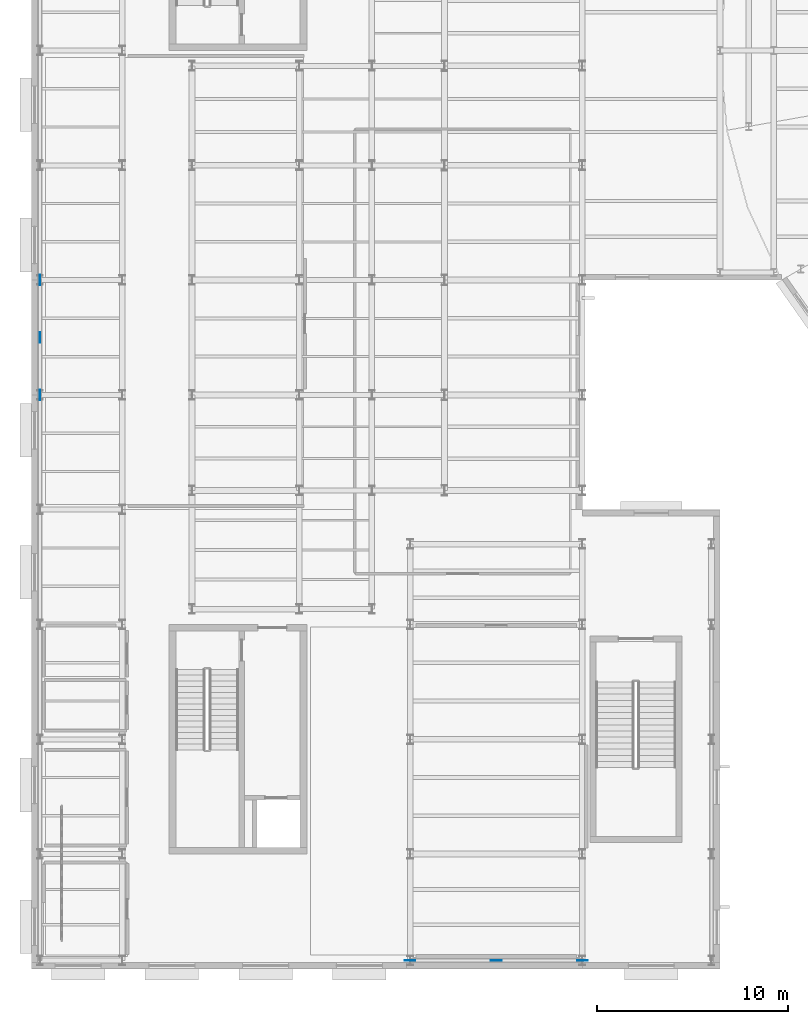
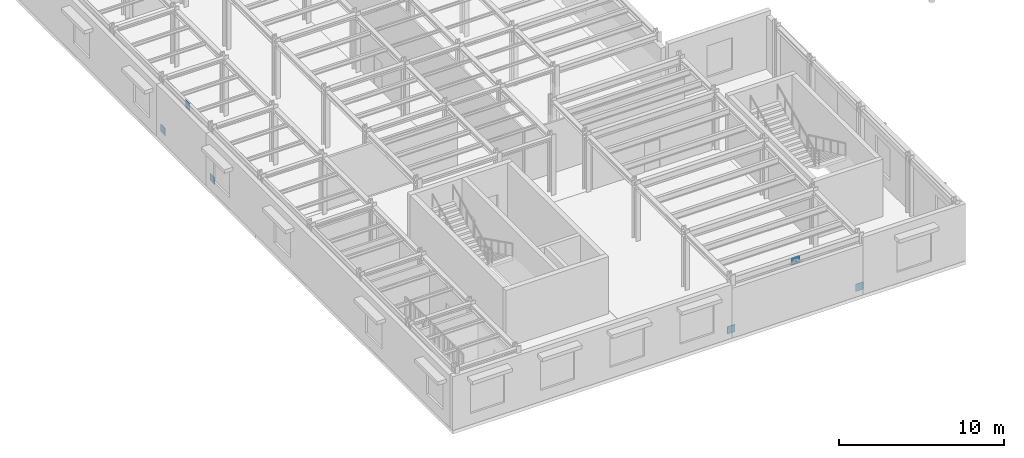
# One storey, part 61 of 91: 6 plates.
"""IFC4 building model written with IfcOpenShell, lengths in metres."""

import ifcopenshell
import ifcopenshell.guid

model = None  # the IFC model being written
_history = None  # IfcOwnerHistory: only IFC2X3 demands one
_inside = {}  # id of a spatial element -> (the spatial element, [elements in it])
_under = {}  # id of a project, library or spatial element -> (it, [spatial elements below it])
_declared = {}  # id of a project -> (the project, [libraries it declares])
_typed = {}  # id of a type object -> (the type object, [elements of that type])
_made_of = {}  # id of a material, layer set ... -> (it, [elements and type objects made of it])


def new_model(schema):
    """Start an empty IFC model of exactly this schema.

    Asked for "IFC4X3", IfcOpenShell would pick the latest addendum, in which some entities
    have other attributes; the version numbers below select the first issue.
    IFC2X3 requires an IfcOwnerHistory on every rooted entity: one is made here for all.
    """
    global model, _history
    if schema == "IFC4X3":
        model = ifcopenshell.file(schema_version=(4, 3, 0, 0))
    else:
        model = ifcopenshell.file(schema=schema)
    _inside.clear()
    _under.clear()
    _declared.clear()
    _typed.clear()
    _made_of.clear()
    _history = None
    if model.schema == "IFC2X3":
        org = make("IfcOrganization", Name="unknown")
        user = make(
            "IfcPersonAndOrganization",
            ThePerson=make("IfcPerson", FamilyName="unknown"),
            TheOrganization=org,
        )
        app = make(
            "IfcApplication",
            ApplicationDeveloper=org,
            Version="unknown",
            ApplicationFullName="unknown",
            ApplicationIdentifier="unknown",
        )
        _history = make(
            "IfcOwnerHistory",
            OwningUser=user,
            OwningApplication=app,
            ChangeAction="ADDED",
            CreationDate=0,
        )
    return model


def make(cls, **values):
    """One entity of the class cls with the attributes given. An attribute that is None is left unset."""
    return model.create_entity(
        cls, **{name: value for name, value in values.items() if value is not None}
    )


def rooted(cls, **values):
    """An entity with a GlobalId (a new one), such as an element, a storey or a relation."""
    return make(cls, GlobalId=ifcopenshell.guid.new(), OwnerHistory=_history, **values)


def si_unit(unit_type, name, prefix=None):
    """IfcSIUnit, for example si_unit("LENGTHUNIT", "METRE", prefix="MILLI")."""
    return make("IfcSIUnit", UnitType=unit_type, Prefix=prefix, Name=name)


def assignment(units):
    """IfcUnitAssignment: the units of a project."""
    return None if units is None else make("IfcUnitAssignment", Units=units)


def point(xyz):
    """IfcCartesianPoint."""
    return None if xyz is None else make("IfcCartesianPoint", Coordinates=xyz)


def direction(xyz):
    """IfcDirection."""
    return None if xyz is None else make("IfcDirection", DirectionRatios=xyz)


def frame(location, z_axis=None, x_axis=None):
    """IfcAxis2Placement3D, a coordinate frame: its origin and axes. An axis left out is left unset."""
    return make(
        "IfcAxis2Placement3D",
        Location=point(location),
        Axis=direction(z_axis),
        RefDirection=direction(x_axis),
    )


def frame_2d(location, x_axis=None):
    """IfcAxis2Placement2D, a coordinate frame in the plane: its origin and x axis."""
    return make(
        "IfcAxis2Placement2D", Location=point(location), RefDirection=direction(x_axis)
    )


def origin():
    """The frame at (0, 0, 0) with its axes left unset."""
    return frame((0.0, 0.0, 0.0))


def origin_2d():
    """The frame at (0, 0) in the plane with its x axis left unset."""
    return frame_2d((0.0, 0.0))


def place(relative_to, where):
    """IfcLocalPlacement: puts the frame where relative to a parent placement (None: the world)."""
    return make(
        "IfcLocalPlacement", PlacementRelTo=relative_to, RelativePlacement=where
    )


def context(
    kind, dimensions, precision=None, world=None, true_north=None, identifier=None
):
    """IfcGeometricRepresentationContext, for example the 3D "Model" context."""
    return make(
        "IfcGeometricRepresentationContext",
        ContextIdentifier=identifier,
        ContextType=kind,
        CoordinateSpaceDimension=dimensions,
        Precision=precision,
        WorldCoordinateSystem=world,
        TrueNorth=true_north,
    )


def subcontext(parent, identifier, kind, view, scale=None):
    """IfcGeometricRepresentationSubContext, for example "Body" below "Model"."""
    return make(
        "IfcGeometricRepresentationSubContext",
        ContextIdentifier=identifier,
        ContextType=kind,
        ParentContext=parent,
        TargetScale=scale,
        TargetView=view,
    )


def project(units=None, contexts=None):
    """IfcProject with its units and contexts."""
    return rooted(
        "IfcProject",
        Name="project",
        RepresentationContexts=contexts,
        UnitsInContext=assignment(units),
    )


def spatial(cls, under=None, at=None, **own):
    """A site, building, storey or space (cls), placed at a placement, below another one or the project."""
    s = rooted(cls, ObjectPlacement=at, **own)
    if under is not None:
        _under.setdefault(under.id(), (under, []))[1].append(s)
    return s


def profile(cls, at=None, kind="AREA", **sizes):
    """A parametric profile (cls). Its sizes go by their IFC names, for example OverallWidth=200.0."""
    return make(cls, ProfileType=kind, Position=at, **sizes)


def rectangle(**sizes):
    """IfcRectangleProfileDef."""
    return profile("IfcRectangleProfileDef", **sizes)


def extrude(swept, where, along, depth):
    """IfcExtrudedAreaSolid: the profile swept, set in the frame where, extruded along a direction by depth."""
    return make(
        "IfcExtrudedAreaSolid",
        SweptArea=swept,
        Position=where,
        ExtrudedDirection=direction(along),
        Depth=depth,
    )


def shape(context_of_items, identifier, shape_type, items):
    """IfcShapeRepresentation: the items that make up one representation, for example the "Body"."""
    return make(
        "IfcShapeRepresentation",
        ContextOfItems=context_of_items,
        RepresentationIdentifier=identifier,
        RepresentationType=shape_type,
        Items=items,
    )


def material(Name=None, Category=None):
    """IfcMaterial."""
    return make("IfcMaterial", Name=Name, Category=Category)


def layer(
    of_material, thickness, ventilated=None, Name=None, Category=None, Priority=None
):
    """IfcMaterialLayer: one layer of a wall or slab, of a material (None: an air gap)."""
    return make(
        "IfcMaterialLayer",
        Material=of_material,
        LayerThickness=thickness,
        IsVentilated=ventilated,
        Name=Name,
        Category=Category,
        Priority=Priority,
    )


def layer_set(layers, Name=None):
    """IfcMaterialLayerSet."""
    return make("IfcMaterialLayerSet", MaterialLayers=layers, LayerSetName=Name)


def made_of(thing, what):
    """Note that an element or type object is made of a material, layer set ...; save() writes the relation."""
    if what is not None:
        _made_of.setdefault(what.id(), (what, []))[1].append(thing)
    return thing


def type_object(cls, material=None, **own):
    """A type object (cls), such as IfcWallType, which elements share."""
    return made_of(rooted(cls, **own), material)


def element(
    cls,
    number,
    at=None,
    inside=None,
    cuts=None,
    type_object=None,
    material=None,
    context=None,
    identifier="Body",
    shape_type=None,
    held_by="IfcProductDefinitionShape",
    body=None,
    shapes=None,
    **own,
):
    """One element of the class cls, such as IfcWall. Its Tag is "e" and its number.

    at: its placement. inside: the storey or other place that contains it. cuts: it is an
    opening in that element (IfcRelVoidsElement). A single representation is given by context,
    identifier, shape_type and body (its items); several are given by shapes. held_by: the class
    of the entity that holds the representations. save() writes the other relations.
    """
    e = rooted(cls, Tag="e%d" % number, ObjectPlacement=at, **own)
    if body is not None:
        shapes = [shape(context, identifier, shape_type, body)]
    if shapes is not None:
        e.Representation = make(held_by, Representations=shapes)
    if inside is not None:
        _inside.setdefault(inside.id(), (inside, []))[1].append(e)
    if cuts is not None:
        rooted(
            "IfcRelVoidsElement", RelatingBuildingElement=cuts, RelatedOpeningElement=e
        )
    if type_object is not None:
        _typed.setdefault(type_object.id(), (type_object, []))[1].append(e)
    return made_of(e, material)


def aggregate(whole, parts):
    """IfcRelAggregates: a whole, such as a stair, and the parts it consists of."""
    return rooted("IfcRelAggregates", RelatingObject=whole, RelatedObjects=parts)


def save(model, path):
    """Write the relations noted so far, then the file.

    IfcRelAggregates (storeys below a building ...), IfcRelContainedInSpatialStructure (elements
    in a storey), IfcRelDefinesByType, IfcRelAssociatesMaterial and IfcRelDeclares: one each for
    every whole, place, type object, material and project.
    """
    for whole, parts in _under.values():
        aggregate(whole, parts)
    for where, things in _inside.values():
        rooted(
            "IfcRelContainedInSpatialStructure",
            RelatedElements=things,
            RelatingStructure=where,
        )
    for kind, things in _typed.values():
        rooted("IfcRelDefinesByType", RelatedObjects=things, RelatingType=kind)
    for what, things in _made_of.values():
        rooted("IfcRelAssociatesMaterial", RelatedObjects=things, RelatingMaterial=what)
    for by, libraries in _declared.values():
        rooted("IfcRelDeclares", RelatingContext=by, RelatedDefinitions=libraries)
    model.write(path)


model = new_model("IFC4")

# Units and contexts
model_context = context("Model", 3, precision=1e-05, world=origin(), true_north=direction((0.0, 1.0)))
body_context = subcontext(model_context, "Body", "Model", "MODEL_VIEW")
ifc_project = project(units=[si_unit("LENGTHUNIT", "METRE"), si_unit("AREAUNIT", "SQUARE_METRE"), si_unit("VOLUMEUNIT", "CUBIC_METRE"), si_unit("PLANEANGLEUNIT", "RADIAN"), si_unit("MASSUNIT", "GRAM", prefix="KILO")], contexts=[model_context])

# Site, building, storey
site_placement = place(None, origin())
site = spatial("IfcSite", under=ifc_project, at=site_placement, CompositionType="ELEMENT")
building_placement = place(site_placement, origin())
building = spatial("IfcBuilding", under=site, at=building_placement, Name="Kolvaren Corner Interchange", CompositionType="ELEMENT")
storey_placement = place(building_placement, frame((0.0, 0.0, 6.0)))
storey = spatial("IfcBuildingStorey", under=building, at=storey_placement, Name="L02", CompositionType="ELEMENT", Elevation=6.0)

# Plates
ifc_material = material(Name="Steel S355", Category="steel")
ifc_layer = layer(ifc_material, 0.02490234375)
ifc_layer_set = layer_set([ifc_layer], Name="Steel S355")
plate_type = type_object("IfcPlateType", Name="PL-GUSSET-25", PredefinedType="USERDEFINED", material=ifc_layer_set)
for number, where, z_axis, x_axis, name in (
    (1, (19.800048828125, 0.449951171875, 0.06494140625), (0.0, 0.0, 1.0), (1.0, 0.0, 0.0), "Storey L02 Bolted Steel Gusset Plate 02 Base Left"),
    (2, (28.800048828125, 0.449951171875, 0.06494140625), (0.0, 0.0, 1.0), (1.0, 0.0, 0.0), "Storey L02 Bolted Steel Gusset Plate 02 Base Right"),
    (3, (24.300048828125, 0.449951171875, 3.60498046875), (0.0, 0.0, 1.0), (1.0, 0.0, 0.0), "Storey L02 Bolted Steel Gusset Plate 02 Apex"),
    (4, (0.449951171875, 30.0, 0.06494140625), (0.0, 0.0, 1.0), (0.0, 1.0, 0.0), "Storey L02 Bolted Steel Gusset Plate 07 Base Left"),
    (5, (0.449951171875, 36.0, 0.06494140625), (0.0, 0.0, 1.0), (0.0, 1.0, 0.0), "Storey L02 Bolted Steel Gusset Plate 07 Base Right"),
    (6, (0.449951171875, 33.0, 3.7001953125), (0.0, 0.0, 1.0), (0.0, 1.0, 0.0), "Storey L02 Bolted Steel Gusset Plate 07 Apex"),
):
    element("IfcPlate", number, at=place(storey_placement, frame(where, z_axis=z_axis, x_axis=x_axis)), inside=storey, type_object=plate_type, Name=name, ObjectType="GUSSET PLATE", PredefinedType="USERDEFINED", context=body_context, shape_type="SweptSolid", body=[
        extrude(rectangle(XDim=0.550048828125, YDim=0.02490234375, at=origin_2d()), origin(), (0.0, 0.0, 1.0), 0.550048828125),
    ])

save(model, "model.ifc")
